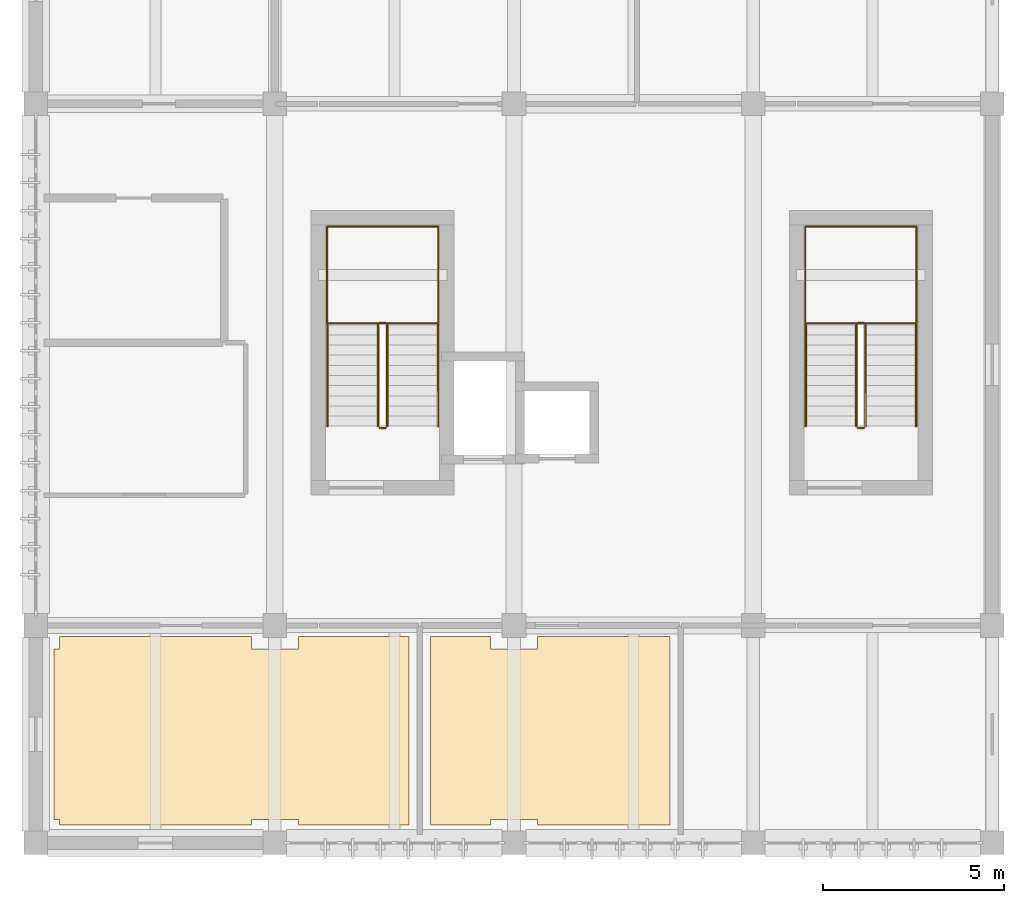
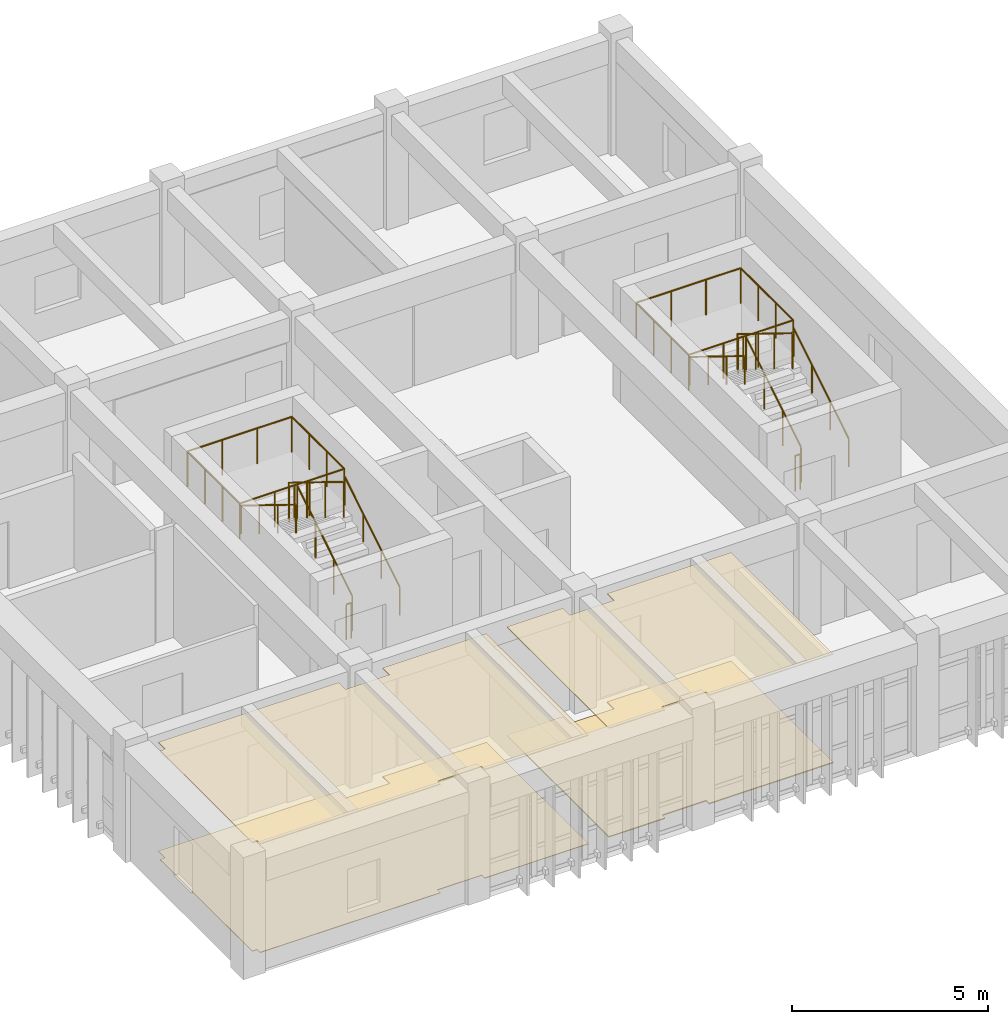
# One storey, part 8 of 9: 16 railings, 4 coverings.
"""IFC4 building model written with IfcOpenShell, lengths in metres."""

from ifc_helpers import new_model, si_unit, direction, frame, origin, origin_2d, place, context, subcontext, project, spatial, polyline, circle, outline, extrude, material, layer, layer_set, type_object, element, save


model = new_model("IFC4")

# Units and contexts
model_context = context("Model", 3, precision=1e-05, world=origin(), true_north=direction((0.0, 1.0)))
body_context = subcontext(model_context, "Body", "Model", "MODEL_VIEW")
ifc_project = project(units=[si_unit("LENGTHUNIT", "METRE"), si_unit("AREAUNIT", "SQUARE_METRE"), si_unit("VOLUMEUNIT", "CUBIC_METRE"), si_unit("PLANEANGLEUNIT", "RADIAN"), si_unit("MASSUNIT", "GRAM", prefix="KILO")], contexts=[model_context])

# Site, building, storey
site_placement = place(None, origin())
site = spatial("IfcSite", under=ifc_project, at=site_placement, CompositionType="ELEMENT")
building_placement = place(site_placement, origin())
building = spatial("IfcBuilding", under=site, at=building_placement, Name="Miralva Faculty of Natural Sciences", CompositionType="ELEMENT")
storey_placement = place(building_placement, frame((0.0, 0.0, 33.0)))
storey = spatial("IfcBuildingStorey", under=building, at=storey_placement, Name="L07", CompositionType="ELEMENT", Elevation=33.0)

# Coverings
ifc_material_1 = material(Name="Acoustic mineral-fibre board")
ifc_layer_1 = layer(ifc_material_1, 0.02197265625, Name="COV-CL01")
ifc_layer_set_1 = layer_set([ifc_layer_1], Name="Acoustic mineral-fibre board")
covering_type_1 = type_object("IfcCoveringType", Name="COV-CL01", PredefinedType="CEILING", material=ifc_layer_set_1)
covering_1_placement = place(storey_placement, frame((0.0, 0.0, 3.3779296875)))
element("IfcCovering", 1, at=covering_1_placement, inside=storey, type_object=covering_type_1, Name="Suspended acoustic ceiling L07-02", PredefinedType="CEILING", context=body_context, shape_type="SweptSolid", body=[
    extrude(outline(polyline([(13.89990234375, 3.5), (13.89990234375, 8.699951171875), (15.550048828125, 8.699951171875), (15.550048828125, 8.35009765625), (16.85009765625, 8.35009765625), (16.85009765625, 8.699951171875), (20.5, 8.699951171875), (20.5, 3.5), (16.85009765625, 3.5), (16.85009765625, 3.64990234375), (15.550048828125, 3.64990234375), (15.550048828125, 3.5), (13.89990234375, 3.5)])), origin(), (0.0, 0.0, 1.0), 0.02197265625),
])
ifc_material_2 = material(Name="Gypsum plasterboard")
ifc_layer_2 = layer(ifc_material_2, 0.028076171875, Name="COV-CL02")
ifc_layer_set_2 = layer_set([ifc_layer_2], Name="Gypsum plasterboard")
covering_type_2 = type_object("IfcCoveringType", Name="COV-CL02", PredefinedType="CEILING", material=ifc_layer_set_2)
covering_2_placement = place(storey_placement, frame((0.0, 0.0, 3.3720703125)))
element("IfcCovering", 2, at=covering_2_placement, inside=storey, type_object=covering_type_2, Name="Suspended acoustic ceiling L07-01", PredefinedType="CEILING", context=body_context, shape_type="SweptSolid", body=[
    extrude(outline(polyline([(3.64990234375, 3.5), (3.64990234375, 3.64990234375), (3.5, 3.64990234375), (3.5, 8.35009765625), (3.64990234375, 8.35009765625), (3.64990234375, 8.699951171875), (8.949951171875, 8.699951171875), (8.949951171875, 8.35009765625), (10.25, 8.35009765625), (10.25, 8.699951171875), (13.300048828125, 8.699951171875), (13.300048828125, 3.5), (10.25, 3.5), (10.25, 3.64990234375), (8.949951171875, 3.64990234375), (8.949951171875, 3.5), (3.64990234375, 3.5)])), origin(), (0.0, 0.0, 1.0), 0.02783203125),
])
ifc_material_3 = material(Name="Polished terrazzo flooring")
ifc_layer_3 = layer(ifc_material_3, 0.030029296875, Name="COV-FL01")
ifc_layer_set_3 = layer_set([ifc_layer_3], Name="Polished terrazzo flooring")
covering_type_3 = type_object("IfcCoveringType", Name="COV-FL01", PredefinedType="FLOORING", material=ifc_layer_set_3)
covering_3_placement = place(storey_placement, origin())
element("IfcCovering", 3, at=covering_3_placement, inside=storey, type_object=covering_type_3, Name="Finished flooring L07-02", PredefinedType="FLOORING", context=body_context, shape_type="SweptSolid", body=[
    extrude(outline(polyline([(13.89990234375, 3.5), (13.89990234375, 8.699951171875), (15.550048828125, 8.699951171875), (15.550048828125, 8.35009765625), (16.85009765625, 8.35009765625), (16.85009765625, 8.699951171875), (20.5, 8.699951171875), (20.5, 3.5), (16.85009765625, 3.5), (16.85009765625, 3.64990234375), (15.550048828125, 3.64990234375), (15.550048828125, 3.5), (13.89990234375, 3.5)])), origin(), (0.0, 0.0, 1.0), 0.030029296875),
])
ifc_layer_4 = layer(ifc_material_3, 0.01806640625, Name="COV-FL02")
ifc_layer_set_4 = layer_set([ifc_layer_4], Name="Polished terrazzo flooring")
covering_type_4 = type_object("IfcCoveringType", Name="COV-FL02", PredefinedType="FLOORING", material=ifc_layer_set_4)
covering_4_placement = place(storey_placement, origin())
element("IfcCovering", 4, at=covering_4_placement, inside=storey, type_object=covering_type_4, Name="Finished flooring L07-01", PredefinedType="FLOORING", context=body_context, shape_type="SweptSolid", body=[
    extrude(outline(polyline([(3.64990234375, 3.5), (3.64990234375, 3.64990234375), (3.5, 3.64990234375), (3.5, 8.35009765625), (3.64990234375, 8.35009765625), (3.64990234375, 8.699951171875), (8.949951171875, 8.699951171875), (8.949951171875, 8.35009765625), (10.25, 8.35009765625), (10.25, 8.699951171875), (13.300048828125, 8.699951171875), (13.300048828125, 3.5), (10.25, 3.5), (10.25, 3.64990234375), (8.949951171875, 3.64990234375), (8.949951171875, 3.5), (3.64990234375, 3.5)])), origin(), (0.0, 0.0, 1.0), 0.01806640625),
])

# Railings
ifc_material_4 = material(Name="Steel S355", Category="steel")
railing_type_1 = type_object("IfcRailingType", Name="RL-GR01", PredefinedType="GUARDRAIL", material=ifc_material_4)
railing_1_placement = place(storey_placement, frame((12.699951171875, 14.5, 0.172607421875)))
element("IfcRailing", 5, at=railing_1_placement, inside=storey, type_object=railing_type_1, Name="Stair Core C1 safety guard L07-1", PredefinedType="GUARDRAIL", context=body_context, shape_type="SweptSolid", body=[
    extrude(circle(Radius=0.02392578125, at=origin_2d()), frame((0.0, 0.0, 1.09619140625), z_axis=(0.0, 0.851089632645, 0.525020415988), x_axis=(-1.0, 0.0, 0.0)), (0.0, 0.0, 1.0), 3.2900390625),
    extrude(circle(Radius=0.02099609375, at=origin_2d()), origin(), (0.0, 0.0, 1.0), 1.072021484375),
    extrude(circle(Radius=0.02099609375, at=origin_2d()), frame((0.0, 0.933349609375, 0.57568359375)), (0.0, 0.0, 1.0), 1.072021484375),
    extrude(circle(Radius=0.02099609375, at=origin_2d()), frame((0.0, 1.86669921875, 1.151611328125)), (0.0, 0.0, 1.0), 1.072021484375),
    extrude(circle(Radius=0.02099609375, at=origin_2d()), frame((0.0, 2.800048828125, 1.727294921875)), (0.0, 0.0, 1.0), 1.072021484375),
])
railing_2_placement = place(storey_placement, frame((12.64990234375, 17.35009765625, 1.89990234375)))
element("IfcRailing", 6, at=railing_2_placement, inside=storey, type_object=railing_type_1, Name="Stair Core C1 safety guard L07-2", PredefinedType="GUARDRAIL", context=body_context, shape_type="SweptSolid", body=[
    extrude(circle(Radius=0.02392578125, at=origin_2d()), frame((0.0, 0.0, 1.09619140625), z_axis=(-1.0, 0.0, 0.0), x_axis=(0.0, -1.0, 0.0)), (0.0, 0.0, 1.0), 0.14990234375),
    extrude(circle(Radius=0.02099609375, at=origin_2d()), origin(), (0.0, 0.0, 1.0), 1.072021484375),
    extrude(circle(Radius=0.02099609375, at=origin_2d()), frame((-0.14990234375, 0.0, 0.0)), (0.0, 0.0, 1.0), 1.072021484375),
])
railing_3_placement = place(storey_placement, frame((12.449951171875, 17.300048828125, 2.07275390625)))
element("IfcRailing", 7, at=railing_3_placement, inside=storey, type_object=railing_type_1, Name="Stair Core C1 safety guard L07-3", PredefinedType="GUARDRAIL", context=body_context, shape_type="SweptSolid", body=[
    extrude(circle(Radius=0.02392578125, at=origin_2d()), frame((0.0, 0.0, 1.09619140625), z_axis=(0.0, -0.851089632645, 0.525020415988), x_axis=(1.0, 0.0, 0.0)), (0.0, 0.0, 1.0), 3.2900390625),
    extrude(circle(Radius=0.02099609375, at=origin_2d()), origin(), (0.0, 0.0, 1.0), 1.072021484375),
    extrude(circle(Radius=0.02099609375, at=origin_2d()), frame((0.0, -0.933349609375, 0.57568359375)), (0.0, 0.0, 1.0), 1.072021484375),
    extrude(circle(Radius=0.02099609375, at=origin_2d()), frame((0.0, -1.86669921875, 1.151611328125)), (0.0, 0.0, 1.0), 1.072021484375),
    extrude(circle(Radius=0.02099609375, at=origin_2d()), frame((0.0, -2.800048828125, 1.727294921875)), (0.0, 0.0, 1.0), 1.072021484375),
])
railing_4_placement = place(storey_placement, frame((12.64990234375, 14.449951171875, 0.0)))
element("IfcRailing", 8, at=railing_4_placement, inside=storey, type_object=railing_type_1, Name="Stair Core C1 safety guard L07-4", PredefinedType="GUARDRAIL", context=body_context, shape_type="SweptSolid", body=[
    extrude(circle(Radius=0.02392578125, at=origin_2d()), frame((0.0, 0.0, 1.09619140625), z_axis=(-1.0, 0.0, 0.0), x_axis=(0.0, -1.0, 0.0)), (0.0, 0.0, 1.0), 0.14990234375),
    extrude(circle(Radius=0.02099609375, at=origin_2d()), origin(), (0.0, 0.0, 1.0), 1.072021484375),
    extrude(circle(Radius=0.02099609375, at=origin_2d()), frame((-0.14990234375, 0.0, 0.0)), (0.0, 0.0, 1.0), 1.072021484375),
])
railing_5_placement = place(storey_placement, frame((11.0400390625, 17.340087890625, 1.89990234375)))
element("IfcRailing", 9, at=railing_5_placement, inside=storey, type_object=railing_type_1, Name="Stair Core C1 half-landing guard L07-1A", PredefinedType="GUARDRAIL", context=body_context, shape_type="SweptSolid", body=[
    extrude(circle(Radius=0.02392578125, at=origin_2d()), frame((0.0, 0.0, 1.09619140625), z_axis=(0.0, 1.0, 0.0), x_axis=(-1.0, 0.0, 0.0)), (0.0, 0.0, 1.0), 2.669921875),
    extrude(circle(Radius=0.02392578125, at=origin_2d()), frame((0.0, 2.669921875, 1.09619140625), z_axis=(1.0, 0.0, 0.0), x_axis=(0.0, 1.0, 0.0)), (0.0, 0.0, 1.0), 3.070068359375),
    extrude(circle(Radius=0.02099609375, at=origin_2d()), origin(), (0.0, 0.0, 1.0), 1.072021484375),
    extrude(circle(Radius=0.02099609375, at=origin_2d()), frame((0.0, 0.889892578125, 0.0)), (0.0, 0.0, 1.0), 1.072021484375),
    extrude(circle(Radius=0.02099609375, at=origin_2d()), frame((0.0, 1.780029296875, 0.0)), (0.0, 0.0, 1.0), 1.072021484375),
    extrude(circle(Radius=0.02099609375, at=origin_2d()), frame((0.0, 2.669921875, 0.0)), (0.0, 0.0, 1.0), 1.072021484375),
    extrude(circle(Radius=0.02099609375, at=origin_2d()), frame((1.0234375, 2.669921875, 0.0)), (0.0, 0.0, 1.0), 1.072021484375),
    extrude(circle(Radius=0.02099609375, at=origin_2d()), frame((2.046630859375, 2.669921875, 0.0)), (0.0, 0.0, 1.0), 1.072021484375),
    extrude(circle(Radius=0.02099609375, at=origin_2d()), frame((3.070068359375, 2.669921875, 0.0)), (0.0, 0.0, 1.0), 1.072021484375),
])
railing_6_placement = place(storey_placement, frame((14.110107421875, 20.010009765625, 1.89990234375)))
element("IfcRailing", 10, at=railing_6_placement, inside=storey, type_object=railing_type_1, Name="Stair Core C1 half-landing guard L07-1B", PredefinedType="GUARDRAIL", context=body_context, shape_type="SweptSolid", body=[
    extrude(circle(Radius=0.02392578125, at=origin_2d()), frame((0.0, 0.0, 1.09619140625), z_axis=(0.0, -1.0, 0.0), x_axis=(1.0, 0.0, 0.0)), (0.0, 0.0, 1.0), 2.669921875),
    extrude(circle(Radius=0.02392578125, at=origin_2d()), frame((0.0, -2.669921875, 1.09619140625), z_axis=(-1.0, 0.0, 0.0), x_axis=(0.0, -1.0, 0.0)), (0.0, 0.0, 1.0), 3.070068359375),
    extrude(circle(Radius=0.02099609375, at=origin_2d()), origin(), (0.0, 0.0, 1.0), 1.072021484375),
    extrude(circle(Radius=0.02099609375, at=origin_2d()), frame((0.0, -0.889892578125, 0.0)), (0.0, 0.0, 1.0), 1.072021484375),
    extrude(circle(Radius=0.02099609375, at=origin_2d()), frame((0.0, -1.780029296875, 0.0)), (0.0, 0.0, 1.0), 1.072021484375),
    extrude(circle(Radius=0.02099609375, at=origin_2d()), frame((0.0, -2.669921875, 0.0)), (0.0, 0.0, 1.0), 1.072021484375),
    extrude(circle(Radius=0.02099609375, at=origin_2d()), frame((-1.0234375, -2.669921875, 0.0)), (0.0, 0.0, 1.0), 1.072021484375),
    extrude(circle(Radius=0.02099609375, at=origin_2d()), frame((-2.046630859375, -2.669921875, 0.0)), (0.0, 0.0, 1.0), 1.072021484375),
    extrude(circle(Radius=0.02099609375, at=origin_2d()), frame((-3.070068359375, -2.669921875, 0.0)), (0.0, 0.0, 1.0), 1.072021484375),
])
railing_7_placement = place(storey_placement, frame((25.89990234375, 14.5, 0.172607421875)))
element("IfcRailing", 11, at=railing_7_placement, inside=storey, type_object=railing_type_1, Name="Stair Core C1B safety guard L07-1", PredefinedType="GUARDRAIL", context=body_context, shape_type="SweptSolid", body=[
    extrude(circle(Radius=0.02392578125, at=origin_2d()), frame((0.0, 0.0, 1.09619140625), z_axis=(0.0, 0.851089632645, 0.525020415988), x_axis=(-1.0, 0.0, 0.0)), (0.0, 0.0, 1.0), 3.2900390625),
    extrude(circle(Radius=0.02099609375, at=origin_2d()), origin(), (0.0, 0.0, 1.0), 1.072021484375),
    extrude(circle(Radius=0.02099609375, at=origin_2d()), frame((0.0, 0.933349609375, 0.57568359375)), (0.0, 0.0, 1.0), 1.072021484375),
    extrude(circle(Radius=0.02099609375, at=origin_2d()), frame((0.0, 1.86669921875, 1.151611328125)), (0.0, 0.0, 1.0), 1.072021484375),
    extrude(circle(Radius=0.02099609375, at=origin_2d()), frame((0.0, 2.800048828125, 1.727294921875)), (0.0, 0.0, 1.0), 1.072021484375),
])
railing_8_placement = place(storey_placement, frame((25.85009765625, 17.35009765625, 1.89990234375)))
element("IfcRailing", 12, at=railing_8_placement, inside=storey, type_object=railing_type_1, Name="Stair Core C1B safety guard L07-2", PredefinedType="GUARDRAIL", context=body_context, shape_type="SweptSolid", body=[
    extrude(circle(Radius=0.02392578125, at=origin_2d()), frame((0.0, 0.0, 1.09619140625), z_axis=(-1.0, 0.0, 0.0), x_axis=(0.0, -1.0, 0.0)), (0.0, 0.0, 1.0), 0.150146484375),
    extrude(circle(Radius=0.02099609375, at=origin_2d()), origin(), (0.0, 0.0, 1.0), 1.072021484375),
    extrude(circle(Radius=0.02099609375, at=origin_2d()), frame((-0.150146484375, 0.0, 0.0)), (0.0, 0.0, 1.0), 1.072021484375),
])
railing_9_placement = place(storey_placement, frame((25.64990234375, 17.300048828125, 2.07275390625)))
element("IfcRailing", 13, at=railing_9_placement, inside=storey, type_object=railing_type_1, Name="Stair Core C1B safety guard L07-3", PredefinedType="GUARDRAIL", context=body_context, shape_type="SweptSolid", body=[
    extrude(circle(Radius=0.02392578125, at=origin_2d()), frame((0.0, 0.0, 1.09619140625), z_axis=(0.0, -0.851089632645, 0.525020415988), x_axis=(1.0, 0.0, 0.0)), (0.0, 0.0, 1.0), 3.2900390625),
    extrude(circle(Radius=0.02099609375, at=origin_2d()), origin(), (0.0, 0.0, 1.0), 1.072021484375),
    extrude(circle(Radius=0.02099609375, at=origin_2d()), frame((0.0, -0.933349609375, 0.57568359375)), (0.0, 0.0, 1.0), 1.072021484375),
    extrude(circle(Radius=0.02099609375, at=origin_2d()), frame((0.0, -1.86669921875, 1.151611328125)), (0.0, 0.0, 1.0), 1.072021484375),
    extrude(circle(Radius=0.02099609375, at=origin_2d()), frame((0.0, -2.800048828125, 1.727294921875)), (0.0, 0.0, 1.0), 1.072021484375),
])
railing_10_placement = place(storey_placement, frame((25.85009765625, 14.449951171875, 0.0)))
element("IfcRailing", 14, at=railing_10_placement, inside=storey, type_object=railing_type_1, Name="Stair Core C1B safety guard L07-4", PredefinedType="GUARDRAIL", context=body_context, shape_type="SweptSolid", body=[
    extrude(circle(Radius=0.02392578125, at=origin_2d()), frame((0.0, 0.0, 1.09619140625), z_axis=(-1.0, 0.0, 0.0), x_axis=(0.0, -1.0, 0.0)), (0.0, 0.0, 1.0), 0.150146484375),
    extrude(circle(Radius=0.02099609375, at=origin_2d()), origin(), (0.0, 0.0, 1.0), 1.072021484375),
    extrude(circle(Radius=0.02099609375, at=origin_2d()), frame((-0.150146484375, 0.0, 0.0)), (0.0, 0.0, 1.0), 1.072021484375),
])
railing_11_placement = place(storey_placement, frame((24.239990234375, 17.340087890625, 1.89990234375)))
element("IfcRailing", 15, at=railing_11_placement, inside=storey, type_object=railing_type_1, Name="Stair Core C1B half-landing guard L07-1A", PredefinedType="GUARDRAIL", context=body_context, shape_type="SweptSolid", body=[
    extrude(circle(Radius=0.02392578125, at=origin_2d()), frame((0.0, 0.0, 1.09619140625), z_axis=(0.0, 1.0, 0.0), x_axis=(-1.0, 0.0, 0.0)), (0.0, 0.0, 1.0), 2.669921875),
    extrude(circle(Radius=0.02392578125, at=origin_2d()), frame((0.0, 2.669921875, 1.09619140625), z_axis=(1.0, 0.0, 0.0), x_axis=(0.0, 1.0, 0.0)), (0.0, 0.0, 1.0), 3.070068359375),
    extrude(circle(Radius=0.02099609375, at=origin_2d()), origin(), (0.0, 0.0, 1.0), 1.072021484375),
    extrude(circle(Radius=0.02099609375, at=origin_2d()), frame((0.0, 0.889892578125, 0.0)), (0.0, 0.0, 1.0), 1.072021484375),
    extrude(circle(Radius=0.02099609375, at=origin_2d()), frame((0.0, 1.780029296875, 0.0)), (0.0, 0.0, 1.0), 1.072021484375),
    extrude(circle(Radius=0.02099609375, at=origin_2d()), frame((0.0, 2.669921875, 0.0)), (0.0, 0.0, 1.0), 1.072021484375),
    extrude(circle(Radius=0.02099609375, at=origin_2d()), frame((1.0234375, 2.669921875, 0.0)), (0.0, 0.0, 1.0), 1.072021484375),
    extrude(circle(Radius=0.02099609375, at=origin_2d()), frame((2.046630859375, 2.669921875, 0.0)), (0.0, 0.0, 1.0), 1.072021484375),
    extrude(circle(Radius=0.02099609375, at=origin_2d()), frame((3.070068359375, 2.669921875, 0.0)), (0.0, 0.0, 1.0), 1.072021484375),
])
railing_12_placement = place(storey_placement, frame((27.31005859375, 20.010009765625, 1.89990234375)))
element("IfcRailing", 16, at=railing_12_placement, inside=storey, type_object=railing_type_1, Name="Stair Core C1B half-landing guard L07-1B", PredefinedType="GUARDRAIL", context=body_context, shape_type="SweptSolid", body=[
    extrude(circle(Radius=0.02392578125, at=origin_2d()), frame((0.0, 0.0, 1.09619140625), z_axis=(0.0, -1.0, 0.0), x_axis=(1.0, 0.0, 0.0)), (0.0, 0.0, 1.0), 2.669921875),
    extrude(circle(Radius=0.02392578125, at=origin_2d()), frame((0.0, -2.669921875, 1.09619140625), z_axis=(-1.0, 0.0, 0.0), x_axis=(0.0, -1.0, 0.0)), (0.0, 0.0, 1.0), 3.070068359375),
    extrude(circle(Radius=0.02099609375, at=origin_2d()), origin(), (0.0, 0.0, 1.0), 1.072021484375),
    extrude(circle(Radius=0.02099609375, at=origin_2d()), frame((0.0, -0.889892578125, 0.0)), (0.0, 0.0, 1.0), 1.072021484375),
    extrude(circle(Radius=0.02099609375, at=origin_2d()), frame((0.0, -1.780029296875, 0.0)), (0.0, 0.0, 1.0), 1.072021484375),
    extrude(circle(Radius=0.02099609375, at=origin_2d()), frame((0.0, -2.669921875, 0.0)), (0.0, 0.0, 1.0), 1.072021484375),
    extrude(circle(Radius=0.02099609375, at=origin_2d()), frame((-1.0234375, -2.669921875, 0.0)), (0.0, 0.0, 1.0), 1.072021484375),
    extrude(circle(Radius=0.02099609375, at=origin_2d()), frame((-2.046630859375, -2.669921875, 0.0)), (0.0, 0.0, 1.0), 1.072021484375),
    extrude(circle(Radius=0.02099609375, at=origin_2d()), frame((-3.070068359375, -2.669921875, 0.0)), (0.0, 0.0, 1.0), 1.072021484375),
])
railing_type_2 = type_object("IfcRailingType", Name="RL-HR01", PredefinedType="HANDRAIL", material=ifc_material_4)
railing_13_placement = place(storey_placement, frame((14.10009765625, 14.5, 0.172607421875)))
element("IfcRailing", 17, at=railing_13_placement, inside=storey, type_object=railing_type_2, Name="Stair Core C1 handrail L07-1", PredefinedType="HANDRAIL", context=body_context, shape_type="SweptSolid", body=[
    extrude(circle(Radius=0.02392578125, at=origin_2d()), frame((0.0, 0.0, 0.8759765625), z_axis=(0.0, 0.851089632645, 0.525020415988), x_axis=(-1.0, 0.0, 0.0)), (0.0, 0.0, 1.0), 3.2900390625),
    extrude(circle(Radius=0.02099609375, at=origin_2d()), origin(), (0.0, 0.0, 1.0), 0.851806640625),
    extrude(circle(Radius=0.02099609375, at=origin_2d()), frame((0.0, 0.933349609375, 0.57568359375)), (0.0, 0.0, 1.0), 0.851806640625),
    extrude(circle(Radius=0.02099609375, at=origin_2d()), frame((0.0, 1.86669921875, 1.151611328125)), (0.0, 0.0, 1.0), 0.851806640625),
    extrude(circle(Radius=0.02099609375, at=origin_2d()), frame((0.0, 2.800048828125, 1.727294921875)), (0.0, 0.0, 1.0), 0.851806640625),
])
railing_14_placement = place(storey_placement, frame((11.050048828125, 17.300048828125, 2.07275390625)))
element("IfcRailing", 18, at=railing_14_placement, inside=storey, type_object=railing_type_2, Name="Stair Core C1 handrail L07-2", PredefinedType="HANDRAIL", context=body_context, shape_type="SweptSolid", body=[
    extrude(circle(Radius=0.02392578125, at=origin_2d()), frame((0.0, 0.0, 0.8759765625), z_axis=(0.0, -0.851089632645, 0.525020415988), x_axis=(1.0, 0.0, 0.0)), (0.0, 0.0, 1.0), 3.2900390625),
    extrude(circle(Radius=0.02099609375, at=origin_2d()), origin(), (0.0, 0.0, 1.0), 0.851806640625),
    extrude(circle(Radius=0.02099609375, at=origin_2d()), frame((0.0, -0.933349609375, 0.57568359375)), (0.0, 0.0, 1.0), 0.851806640625),
    extrude(circle(Radius=0.02099609375, at=origin_2d()), frame((0.0, -1.86669921875, 1.151611328125)), (0.0, 0.0, 1.0), 0.851806640625),
    extrude(circle(Radius=0.02099609375, at=origin_2d()), frame((0.0, -2.800048828125, 1.727294921875)), (0.0, 0.0, 1.0), 0.851806640625),
])
railing_15_placement = place(storey_placement, frame((27.300048828125, 14.5, 0.172607421875)))
element("IfcRailing", 19, at=railing_15_placement, inside=storey, type_object=railing_type_2, Name="Stair Core C1B handrail L07-1", PredefinedType="HANDRAIL", context=body_context, shape_type="SweptSolid", body=[
    extrude(circle(Radius=0.02392578125, at=origin_2d()), frame((0.0, 0.0, 0.8759765625), z_axis=(0.0, 0.851089632645, 0.525020415988), x_axis=(-1.0, 0.0, 0.0)), (0.0, 0.0, 1.0), 3.2900390625),
    extrude(circle(Radius=0.02099609375, at=origin_2d()), origin(), (0.0, 0.0, 1.0), 0.851806640625),
    extrude(circle(Radius=0.02099609375, at=origin_2d()), frame((0.0, 0.933349609375, 0.57568359375)), (0.0, 0.0, 1.0), 0.851806640625),
    extrude(circle(Radius=0.02099609375, at=origin_2d()), frame((0.0, 1.86669921875, 1.151611328125)), (0.0, 0.0, 1.0), 0.851806640625),
    extrude(circle(Radius=0.02099609375, at=origin_2d()), frame((0.0, 2.800048828125, 1.727294921875)), (0.0, 0.0, 1.0), 0.851806640625),
])
railing_16_placement = place(storey_placement, frame((24.25, 17.300048828125, 2.07275390625)))
element("IfcRailing", 20, at=railing_16_placement, inside=storey, type_object=railing_type_2, Name="Stair Core C1B handrail L07-2", PredefinedType="HANDRAIL", context=body_context, shape_type="SweptSolid", body=[
    extrude(circle(Radius=0.02392578125, at=origin_2d()), frame((0.0, 0.0, 0.8759765625), z_axis=(0.0, -0.851089632645, 0.525020415988), x_axis=(1.0, 0.0, 0.0)), (0.0, 0.0, 1.0), 3.2900390625),
    extrude(circle(Radius=0.02099609375, at=origin_2d()), origin(), (0.0, 0.0, 1.0), 0.851806640625),
    extrude(circle(Radius=0.02099609375, at=origin_2d()), frame((0.0, -0.933349609375, 0.57568359375)), (0.0, 0.0, 1.0), 0.851806640625),
    extrude(circle(Radius=0.02099609375, at=origin_2d()), frame((0.0, -1.86669921875, 1.151611328125)), (0.0, 0.0, 1.0), 0.851806640625),
    extrude(circle(Radius=0.02099609375, at=origin_2d()), frame((0.0, -2.800048828125, 1.727294921875)), (0.0, 0.0, 1.0), 0.851806640625),
])

save(model, "model.ifc")
